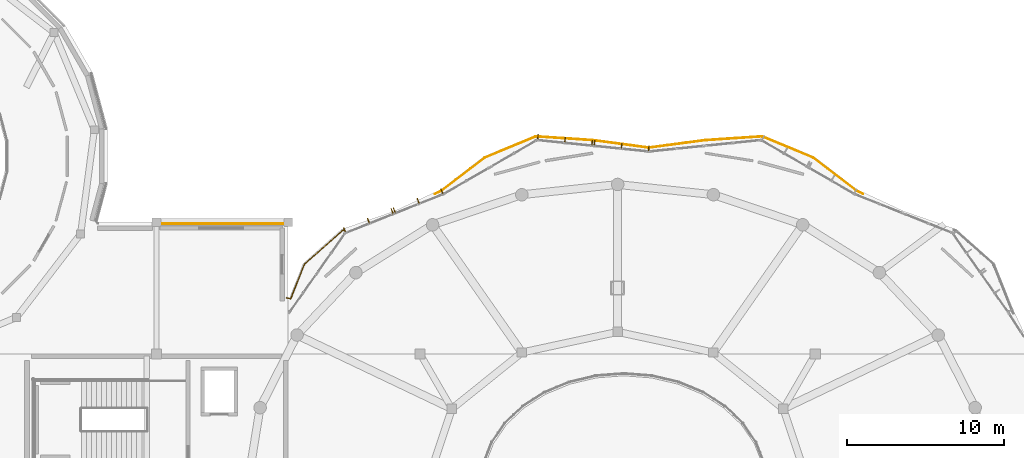
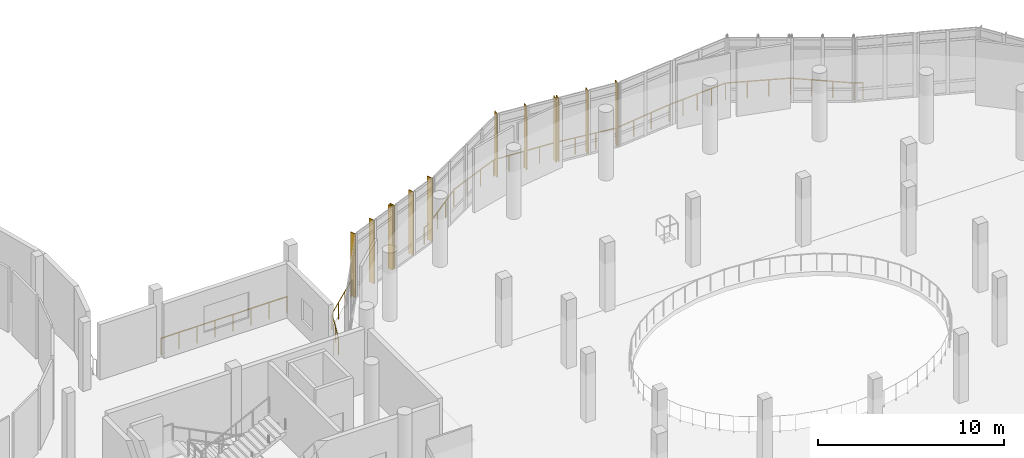
# One storey, part 43 of 46: 12 shading devices, 3 railings.
"""IFC4 building model written with IfcOpenShell, lengths in metres."""

import ifcopenshell
import ifcopenshell.guid

model = None  # the IFC model being written
_history = None  # IfcOwnerHistory: only IFC2X3 demands one
_inside = {}  # id of a spatial element -> (the spatial element, [elements in it])
_under = {}  # id of a project, library or spatial element -> (it, [spatial elements below it])
_declared = {}  # id of a project -> (the project, [libraries it declares])
_typed = {}  # id of a type object -> (the type object, [elements of that type])
_made_of = {}  # id of a material, layer set ... -> (it, [elements and type objects made of it])


def new_model(schema):
    """Start an empty IFC model of exactly this schema.

    Asked for "IFC4X3", IfcOpenShell would pick the latest addendum, in which some entities
    have other attributes; the version numbers below select the first issue.
    IFC2X3 requires an IfcOwnerHistory on every rooted entity: one is made here for all.
    """
    global model, _history
    if schema == "IFC4X3":
        model = ifcopenshell.file(schema_version=(4, 3, 0, 0))
    else:
        model = ifcopenshell.file(schema=schema)
    _inside.clear()
    _under.clear()
    _declared.clear()
    _typed.clear()
    _made_of.clear()
    _history = None
    if model.schema == "IFC2X3":
        org = make("IfcOrganization", Name="unknown")
        user = make(
            "IfcPersonAndOrganization",
            ThePerson=make("IfcPerson", FamilyName="unknown"),
            TheOrganization=org,
        )
        app = make(
            "IfcApplication",
            ApplicationDeveloper=org,
            Version="unknown",
            ApplicationFullName="unknown",
            ApplicationIdentifier="unknown",
        )
        _history = make(
            "IfcOwnerHistory",
            OwningUser=user,
            OwningApplication=app,
            ChangeAction="ADDED",
            CreationDate=0,
        )
    return model


def make(cls, **values):
    """One entity of the class cls with the attributes given. An attribute that is None is left unset."""
    return model.create_entity(
        cls, **{name: value for name, value in values.items() if value is not None}
    )


def rooted(cls, **values):
    """An entity with a GlobalId (a new one), such as an element, a storey or a relation."""
    return make(cls, GlobalId=ifcopenshell.guid.new(), OwnerHistory=_history, **values)


def si_unit(unit_type, name, prefix=None):
    """IfcSIUnit, for example si_unit("LENGTHUNIT", "METRE", prefix="MILLI")."""
    return make("IfcSIUnit", UnitType=unit_type, Prefix=prefix, Name=name)


def derived_unit(unit_type, elements):
    """IfcDerivedUnit: a product of units, each with its exponent."""
    return make(
        "IfcDerivedUnit",
        Elements=[
            make("IfcDerivedUnitElement", Unit=unit, Exponent=power)
            for unit, power in elements
        ],
        UnitType=unit_type,
    )


def assignment(units):
    """IfcUnitAssignment: the units of a project."""
    return None if units is None else make("IfcUnitAssignment", Units=units)


def point(xyz):
    """IfcCartesianPoint."""
    return None if xyz is None else make("IfcCartesianPoint", Coordinates=xyz)


def direction(xyz):
    """IfcDirection."""
    return None if xyz is None else make("IfcDirection", DirectionRatios=xyz)


def frame(location, z_axis=None, x_axis=None):
    """IfcAxis2Placement3D, a coordinate frame: its origin and axes. An axis left out is left unset."""
    return make(
        "IfcAxis2Placement3D",
        Location=point(location),
        Axis=direction(z_axis),
        RefDirection=direction(x_axis),
    )


def frame_2d(location, x_axis=None):
    """IfcAxis2Placement2D, a coordinate frame in the plane: its origin and x axis."""
    return make(
        "IfcAxis2Placement2D", Location=point(location), RefDirection=direction(x_axis)
    )


def origin():
    """The frame at (0, 0, 0) with its axes left unset."""
    return frame((0.0, 0.0, 0.0))


def origin_2d():
    """The frame at (0, 0) in the plane with its x axis left unset."""
    return frame_2d((0.0, 0.0))


def place(relative_to, where):
    """IfcLocalPlacement: puts the frame where relative to a parent placement (None: the world)."""
    return make(
        "IfcLocalPlacement", PlacementRelTo=relative_to, RelativePlacement=where
    )


def context(
    kind, dimensions, precision=None, world=None, true_north=None, identifier=None
):
    """IfcGeometricRepresentationContext, for example the 3D "Model" context."""
    return make(
        "IfcGeometricRepresentationContext",
        ContextIdentifier=identifier,
        ContextType=kind,
        CoordinateSpaceDimension=dimensions,
        Precision=precision,
        WorldCoordinateSystem=world,
        TrueNorth=true_north,
    )


def subcontext(parent, identifier, kind, view, scale=None):
    """IfcGeometricRepresentationSubContext, for example "Body" below "Model"."""
    return make(
        "IfcGeometricRepresentationSubContext",
        ContextIdentifier=identifier,
        ContextType=kind,
        ParentContext=parent,
        TargetScale=scale,
        TargetView=view,
    )


def project(units=None, contexts=None):
    """IfcProject with its units and contexts."""
    return rooted(
        "IfcProject",
        Name="project",
        RepresentationContexts=contexts,
        UnitsInContext=assignment(units),
    )


def spatial(cls, under=None, at=None, **own):
    """A site, building, storey or space (cls), placed at a placement, below another one or the project."""
    s = rooted(cls, ObjectPlacement=at, **own)
    if under is not None:
        _under.setdefault(under.id(), (under, []))[1].append(s)
    return s


def profile(cls, at=None, kind="AREA", **sizes):
    """A parametric profile (cls). Its sizes go by their IFC names, for example OverallWidth=200.0."""
    return make(cls, ProfileType=kind, Position=at, **sizes)


def rectangle(**sizes):
    """IfcRectangleProfileDef."""
    return profile("IfcRectangleProfileDef", **sizes)


def circle(**sizes):
    """IfcCircleProfileDef."""
    return profile("IfcCircleProfileDef", **sizes)


def extrude(swept, where, along, depth):
    """IfcExtrudedAreaSolid: the profile swept, set in the frame where, extruded along a direction by depth."""
    return make(
        "IfcExtrudedAreaSolid",
        SweptArea=swept,
        Position=where,
        ExtrudedDirection=direction(along),
        Depth=depth,
    )


def shape(context_of_items, identifier, shape_type, items):
    """IfcShapeRepresentation: the items that make up one representation, for example the "Body"."""
    return make(
        "IfcShapeRepresentation",
        ContextOfItems=context_of_items,
        RepresentationIdentifier=identifier,
        RepresentationType=shape_type,
        Items=items,
    )


def material(Name=None, Category=None):
    """IfcMaterial."""
    return make("IfcMaterial", Name=Name, Category=Category)


def made_of(thing, what):
    """Note that an element or type object is made of a material, layer set ...; save() writes the relation."""
    if what is not None:
        _made_of.setdefault(what.id(), (what, []))[1].append(thing)
    return thing


def type_object(cls, material=None, **own):
    """A type object (cls), such as IfcWallType, which elements share."""
    return made_of(rooted(cls, **own), material)


def element(
    cls,
    number,
    at=None,
    inside=None,
    cuts=None,
    type_object=None,
    material=None,
    context=None,
    identifier="Body",
    shape_type=None,
    held_by="IfcProductDefinitionShape",
    body=None,
    shapes=None,
    **own,
):
    """One element of the class cls, such as IfcWall. Its Tag is "e" and its number.

    at: its placement. inside: the storey or other place that contains it. cuts: it is an
    opening in that element (IfcRelVoidsElement). A single representation is given by context,
    identifier, shape_type and body (its items); several are given by shapes. held_by: the class
    of the entity that holds the representations. save() writes the other relations.
    """
    e = rooted(cls, Tag="e%d" % number, ObjectPlacement=at, **own)
    if body is not None:
        shapes = [shape(context, identifier, shape_type, body)]
    if shapes is not None:
        e.Representation = make(held_by, Representations=shapes)
    if inside is not None:
        _inside.setdefault(inside.id(), (inside, []))[1].append(e)
    if cuts is not None:
        rooted(
            "IfcRelVoidsElement", RelatingBuildingElement=cuts, RelatedOpeningElement=e
        )
    if type_object is not None:
        _typed.setdefault(type_object.id(), (type_object, []))[1].append(e)
    return made_of(e, material)


def aggregate(whole, parts):
    """IfcRelAggregates: a whole, such as a stair, and the parts it consists of."""
    return rooted("IfcRelAggregates", RelatingObject=whole, RelatedObjects=parts)


def save(model, path):
    """Write the relations noted so far, then the file.

    IfcRelAggregates (storeys below a building ...), IfcRelContainedInSpatialStructure (elements
    in a storey), IfcRelDefinesByType, IfcRelAssociatesMaterial and IfcRelDeclares: one each for
    every whole, place, type object, material and project.
    """
    for whole, parts in _under.values():
        aggregate(whole, parts)
    for where, things in _inside.values():
        rooted(
            "IfcRelContainedInSpatialStructure",
            RelatedElements=things,
            RelatingStructure=where,
        )
    for kind, things in _typed.values():
        rooted("IfcRelDefinesByType", RelatedObjects=things, RelatingType=kind)
    for what, things in _made_of.values():
        rooted("IfcRelAssociatesMaterial", RelatedObjects=things, RelatingMaterial=what)
    for by, libraries in _declared.values():
        rooted("IfcRelDeclares", RelatingContext=by, RelatedDefinitions=libraries)
    model.write(path)


model = new_model("IFC4")

# Units and contexts
model_context = context("Model", 3, precision=1e-05, world=origin(), true_north=direction((0.0, 1.0)))
body_context = subcontext(model_context, "Body", "Model", "MODEL_VIEW")
ifc_project = project(units=[si_unit("LENGTHUNIT", "METRE"), si_unit("AREAUNIT", "SQUARE_METRE"), si_unit("VOLUMEUNIT", "CUBIC_METRE"), si_unit("PLANEANGLEUNIT", "RADIAN"), si_unit("MASSUNIT", "GRAM", prefix="KILO"), derived_unit("THERMALTRANSMITTANCEUNIT", [(si_unit("POWERUNIT", "WATT"), 1), (si_unit("LENGTHUNIT", "METRE"), -2), (si_unit("THERMODYNAMICTEMPERATUREUNIT", "KELVIN"), -1)])], contexts=[model_context])

# Site, building, storey
site_placement = place(None, origin())
site = spatial("IfcSite", under=ifc_project, at=site_placement, CompositionType="ELEMENT")
building_placement = place(site_placement, origin())
building = spatial("IfcBuilding", under=site, at=building_placement, Name="Elbkamm Science Centre", CompositionType="ELEMENT")
storey_placement = place(building_placement, frame((0.0, 0.0, 9.89990234375)))
storey = spatial("IfcBuildingStorey", under=building, at=storey_placement, Name="L02", CompositionType="ELEMENT", Elevation=9.89990234375)

# Railings
ifc_material_1 = material(Name="Stainless steel EN 1.4401", Category="steel")
railing_type = type_object("IfcRailingType", Name="RAIL-EXT-GUARD-1100", PredefinedType="GUARDRAIL", material=ifc_material_1)
railing_1_placement = place(storey_placement, frame((33.8798828125, 83.89990234375, 0.0)))
element("IfcRailing", 1, at=railing_1_placement, inside=storey, type_object=railing_type, Name="L02 Slab Edge Perimeter Guard 052", PredefinedType="GUARDRAIL", context=body_context, shape_type="SweptSolid", body=[
    extrude(circle(Radius=0.02392578125, at=origin_2d()), frame((0.0, 0.0, 1.078125), z_axis=(1.0, 0.0, 0.0), x_axis=(0.0, 1.0, 0.0)), (0.0, 0.0, 1.0), 7.840087890625),
    extrude(circle(Radius=0.02001953125, at=origin_2d()), origin(), (0.0, 0.0, 1.0), 1.048095703125),
    extrude(circle(Radius=0.02001953125, at=origin_2d()), frame((1.1201171875, 0.0, 0.0)), (0.0, 0.0, 1.0), 1.048095703125),
    extrude(circle(Radius=0.02001953125, at=origin_2d()), frame((2.239990234375, 0.0, 0.0)), (0.0, 0.0, 1.0), 1.048095703125),
    extrude(circle(Radius=0.02001953125, at=origin_2d()), frame((3.360107421875, 0.0, 0.0)), (0.0, 0.0, 1.0), 1.048095703125),
    extrude(circle(Radius=0.02001953125, at=origin_2d()), frame((4.47998046875, 0.0, 0.0)), (0.0, 0.0, 1.0), 1.048095703125),
    extrude(circle(Radius=0.02001953125, at=origin_2d()), frame((5.60009765625, 0.0, 0.0)), (0.0, 0.0, 1.0), 1.048095703125),
    extrude(circle(Radius=0.02001953125, at=origin_2d()), frame((6.719970703125, 0.0, 0.0)), (0.0, 0.0, 1.0), 1.048095703125),
    extrude(circle(Radius=0.02001953125, at=origin_2d()), frame((7.840087890625, 0.0, 0.0)), (0.0, 0.0, 1.0), 1.048095703125),
])
railing_2_placement = place(storey_placement, frame((41.89990234375, 79.17236328125, 0.0)))
element("IfcRailing", 2, at=railing_2_placement, inside=storey, type_object=railing_type, Name="L02 Slab Edge Perimeter Guard 053", PredefinedType="GUARDRAIL", context=body_context, shape_type="SweptSolid", body=[
    extrude(circle(Radius=0.02392578125, at=origin_2d()), frame((0.0, 0.0, 1.078125), z_axis=(0.969324821859, -0.245783216939, 0.0), x_axis=(0.245783216939, 0.969324821859, 0.0)), (0.0, 0.0, 1.0), 0.235107421875),
    extrude(circle(Radius=0.02392578125, at=origin_2d()), frame((0.26806640625, -0.037353515625, 1.078125), z_axis=(0.36853477324, 0.929613963381, 0.0), x_axis=(-0.929613963381, 0.36853477324, 0.0)), (0.0, 0.0, 1.0), 2.2998046875),
    extrude(circle(Radius=0.02392578125, at=origin_2d()), frame((1.149169921875, 2.1484375, 1.078125), z_axis=(0.746825047383, 0.665020562541, 0.0), x_axis=(-0.665020562541, 0.746825047383, 0.0)), (0.0, 0.0, 1.0), 3.169189453125),
    extrude(circle(Radius=0.02392578125, at=origin_2d()), frame((3.566650390625, 4.28564453125, 1.078125), z_axis=(0.945132544424, 0.326687118616, 0.0), x_axis=(-0.326687118616, 0.945132544424, 0.0)), (0.0, 0.0, 1.0), 0.0888671875),
    extrude(circle(Radius=0.02001953125, at=origin_2d()), origin(), (0.0, 0.0, 1.0), 1.048095703125),
    extrude(circle(Radius=0.02001953125, at=origin_2d()), frame((0.257080078125, -0.065185546875, 0.0)), (0.0, 0.0, 1.0), 1.048095703125),
    extrude(circle(Radius=0.02001953125, at=origin_2d()), frame((0.69189453125, 1.03173828125, 0.0)), (0.0, 0.0, 1.0), 1.048095703125),
    extrude(circle(Radius=0.02001953125, at=origin_2d()), frame((1.126708984375, 2.12841796875, 0.0)), (0.0, 0.0, 1.0), 1.048095703125),
    extrude(circle(Radius=0.02001953125, at=origin_2d()), frame((1.9306640625, 2.84423828125, 0.0)), (0.0, 0.0, 1.0), 1.048095703125),
    extrude(circle(Radius=0.02001953125, at=origin_2d()), frame((2.734375, 3.56005859375, 0.0)), (0.0, 0.0, 1.0), 1.048095703125),
    extrude(circle(Radius=0.02001953125, at=origin_2d()), frame((3.538330078125, 4.27587890625, 0.0)), (0.0, 0.0, 1.0), 1.048095703125),
    extrude(circle(Radius=0.02001953125, at=origin_2d()), frame((3.650634765625, 4.314697265625, 0.0)), (0.0, 0.0, 1.0), 1.048095703125),
])
railing_3_placement = place(storey_placement, frame((51.3486328125, 85.795654296875, 0.0)))
element("IfcRailing", 3, at=railing_3_placement, inside=storey, type_object=railing_type, Name="L02 Slab Edge Perimeter Guard 054", PredefinedType="GUARDRAIL", context=body_context, shape_type="SweptSolid", body=[
    extrude(circle(Radius=0.02392578125, at=origin_2d()), frame((0.0, 0.0, 1.078125), z_axis=(0.903939780101, 0.427659764241, 0.0), x_axis=(-0.427659764241, 0.903939780101, 0.0)), (0.0, 0.0, 1.0), 0.462158203125),
    extrude(circle(Radius=0.02392578125, at=origin_2d()), frame((0.468505859375, 0.228759765625, 1.078125), z_axis=(0.793275941533, 0.60886228376, 0.0), x_axis=(-0.60886228376, 0.793275941533, 0.0)), (0.0, 0.0, 1.0), 3.39013671875),
    extrude(circle(Radius=0.02392578125, at=origin_2d()), frame((3.209228515625, 2.322509765625, 1.078125), z_axis=(0.923614791443, 0.383321949578, 0.0), x_axis=(-0.383321949578, 0.923614791443, 0.0)), (0.0, 0.0, 1.0), 3.4658203125),
    extrude(circle(Radius=0.02392578125, at=origin_2d()), frame((6.46826171875, 3.66064453125, 1.078125), z_axis=(0.997785157857, -0.066519010524, 0.0), x_axis=(0.066519010524, 0.997785157857, 0.0)), (0.0, 0.0, 1.0), 3.614013671875),
    extrude(circle(Radius=0.02392578125, at=origin_2d()), frame((10.1337890625, 3.414306640625, 1.078125), z_axis=(0.991170443818, -0.13259393388, 0.0), x_axis=(0.13259393388, 0.991170443818, 0.0)), (0.0, 0.0, 1.0), 3.50830078125),
    extrude(circle(Radius=0.02392578125, at=origin_2d()), frame((13.670654296875, 2.948974609375, 1.078125), z_axis=(0.991272992288, 0.131825091543, 0.0), x_axis=(-0.131825091543, 0.991272992288, 0.0)), (0.0, 0.0, 1.0), 3.529296875),
    extrude(circle(Radius=0.02392578125, at=origin_2d()), frame((17.228759765625, 3.420166015625, 1.078125), z_axis=(0.997785157857, 0.066519010524, 0.0), x_axis=(-0.066519010524, 0.997785157857, 0.0)), (0.0, 0.0, 1.0), 3.614013671875),
    extrude(circle(Radius=0.02392578125, at=origin_2d()), frame((20.89208984375, 3.651123046875, 1.078125), z_axis=(0.923614791443, -0.383321949578, 0.0), x_axis=(0.383321949578, 0.923614791443, 0.0)), (0.0, 0.0, 1.0), 3.4658203125),
    extrude(circle(Radius=0.02392578125, at=origin_2d()), frame((24.144775390625, 2.292724609375, 1.078125), z_axis=(0.793275941533, -0.60886228376, 0.0), x_axis=(0.60886228376, 0.793275941533, 0.0)), (0.0, 0.0, 1.0), 3.39013671875),
    extrude(circle(Radius=0.02392578125, at=origin_2d()), frame((26.885009765625, 0.197509765625, 1.078125), z_axis=(0.903939780101, -0.427659764241, 0.0), x_axis=(0.427659764241, 0.903939780101, 0.0)), (0.0, 0.0, 1.0), 0.462158203125),
    extrude(circle(Radius=0.02001953125, at=origin_2d()), origin(), (0.0, 0.0, 1.0), 1.048095703125),
    extrude(circle(Radius=0.02001953125, at=origin_2d()), frame((0.44482421875, 0.21044921875, 0.0)), (0.0, 0.0, 1.0), 1.048095703125),
    extrude(circle(Radius=0.02001953125, at=origin_2d()), frame((1.357177734375, 0.91064453125, 0.0)), (0.0, 0.0, 1.0), 1.048095703125),
    extrude(circle(Radius=0.02001953125, at=origin_2d()), frame((2.269287109375, 1.61083984375, 0.0)), (0.0, 0.0, 1.0), 1.048095703125),
    extrude(circle(Radius=0.02001953125, at=origin_2d()), frame((3.181640625, 2.31103515625, 0.0)), (0.0, 0.0, 1.0), 1.048095703125),
    extrude(circle(Radius=0.02001953125, at=origin_2d()), frame((4.26708984375, 2.761474609375, 0.0)), (0.0, 0.0, 1.0), 1.048095703125),
    extrude(circle(Radius=0.02001953125, at=origin_2d()), frame((5.352783203125, 3.212158203125, 0.0)), (0.0, 0.0, 1.0), 1.048095703125),
    extrude(circle(Radius=0.02001953125, at=origin_2d()), frame((6.438232421875, 3.66259765625, 0.0)), (0.0, 0.0, 1.0), 1.048095703125),
    extrude(circle(Radius=0.02001953125, at=origin_2d()), frame((7.354736328125, 3.6015625, 0.0)), (0.0, 0.0, 1.0), 1.048095703125),
    extrude(circle(Radius=0.02001953125, at=origin_2d()), frame((8.27099609375, 3.54052734375, 0.0)), (0.0, 0.0, 1.0), 1.048095703125),
    extrude(circle(Radius=0.02001953125, at=origin_2d()), frame((9.1875, 3.479248046875, 0.0)), (0.0, 0.0, 1.0), 1.048095703125),
    extrude(circle(Radius=0.02001953125, at=origin_2d()), frame((10.10400390625, 3.418212890625, 0.0)), (0.0, 0.0, 1.0), 1.048095703125),
    extrude(circle(Radius=0.02001953125, at=origin_2d()), frame((11.282958984375, 3.260498046875, 0.0)), (0.0, 0.0, 1.0), 1.048095703125),
    extrude(circle(Radius=0.02001953125, at=origin_2d()), frame((12.4619140625, 3.102783203125, 0.0)), (0.0, 0.0, 1.0), 1.048095703125),
    extrude(circle(Radius=0.02001953125, at=origin_2d()), frame((13.640869140625, 2.945068359375, 0.0)), (0.0, 0.0, 1.0), 1.048095703125),
    extrude(circle(Radius=0.02001953125, at=origin_2d()), frame((14.826904296875, 3.102783203125, 0.0)), (0.0, 0.0, 1.0), 1.048095703125),
    extrude(circle(Radius=0.02001953125, at=origin_2d()), frame((16.0126953125, 3.260498046875, 0.0)), (0.0, 0.0, 1.0), 1.048095703125),
    extrude(circle(Radius=0.02001953125, at=origin_2d()), frame((17.19873046875, 3.418212890625, 0.0)), (0.0, 0.0, 1.0), 1.048095703125),
    extrude(circle(Radius=0.02001953125, at=origin_2d()), frame((18.115234375, 3.479248046875, 0.0)), (0.0, 0.0, 1.0), 1.048095703125),
    extrude(circle(Radius=0.02001953125, at=origin_2d()), frame((19.03173828125, 3.54052734375, 0.0)), (0.0, 0.0, 1.0), 1.048095703125),
    extrude(circle(Radius=0.02001953125, at=origin_2d()), frame((19.947998046875, 3.6015625, 0.0)), (0.0, 0.0, 1.0), 1.048095703125),
    extrude(circle(Radius=0.02001953125, at=origin_2d()), frame((20.864501953125, 3.66259765625, 0.0)), (0.0, 0.0, 1.0), 1.048095703125),
    extrude(circle(Radius=0.02001953125, at=origin_2d()), frame((21.949951171875, 3.212158203125, 0.0)), (0.0, 0.0, 1.0), 1.048095703125),
    extrude(circle(Radius=0.02001953125, at=origin_2d()), frame((23.03564453125, 2.761474609375, 0.0)), (0.0, 0.0, 1.0), 1.048095703125),
    extrude(circle(Radius=0.02001953125, at=origin_2d()), frame((24.12109375, 2.31103515625, 0.0)), (0.0, 0.0, 1.0), 1.048095703125),
    extrude(circle(Radius=0.02001953125, at=origin_2d()), frame((25.033447265625, 1.61083984375, 0.0)), (0.0, 0.0, 1.0), 1.048095703125),
    extrude(circle(Radius=0.02001953125, at=origin_2d()), frame((25.945556640625, 0.91064453125, 0.0)), (0.0, 0.0, 1.0), 1.048095703125),
    extrude(circle(Radius=0.02001953125, at=origin_2d()), frame((26.85791015625, 0.21044921875, 0.0)), (0.0, 0.0, 1.0), 1.048095703125),
    extrude(circle(Radius=0.02001953125, at=origin_2d()), frame((27.302734375, 0.0, 0.0)), (0.0, 0.0, 1.0), 1.048095703125),
])

# Shading devices
ifc_material_2 = material(Name="Terracotta-ochre powder-coated aluminium EN AW-6060", Category="masonry")
shading_device_type = type_object("IfcShadingDeviceType", Name="SHD-LOUVRE-420", PredefinedType="USERDEFINED", material=ifc_material_2)
for number, where, z_axis, x_axis, name in (
    (4, (64.985107421875, 88.6875, 0.000244140625), (0.0, 0.0, 1.0), (0.101905357138, 0.994794098387, 0.0), "L02 Brise-Soleil Sunshade Fin 0048"),
    (5, (63.2548828125, 88.86474609375, 0.000244140625), (0.0, 0.0, 1.0), (0.101905357138, 0.994794098387, 0.0), "L02 Brise-Soleil Sunshade Fin 0049"),
    (6, (61.52490234375, 89.0419921875, 0.000244140625), (0.0, 0.0, 1.0), (0.101905357138, 0.994794098387, 0.0), "L02 Brise-Soleil Sunshade Fin 0050"),
    (7, (61.375732421875, 89.057373046875, 0.000244140625), (0.0, 0.0, 1.0), (0.101905357138, 0.994794098387, 0.0), "L02 Brise-Soleil Sunshade Fin 0051"),
    (8, (59.6455078125, 89.234619140625, 0.000244140625), (0.0, 0.0, 1.0), (0.101905357138, 0.994794098387, 0.0), "L02 Brise-Soleil Sunshade Fin 0052"),
    (9, (57.915283203125, 89.411865234375, 0.000244140625), (0.0, 0.0, 1.0), (0.101905357138, 0.994794098387, 0.0), "L02 Brise-Soleil Sunshade Fin 0053"),
    (10, (51.799560546875, 85.94775390625, 0.000244140625), (0.0, 0.0, 1.0), (-0.369159649018, 0.929365995471, 0.0), "L02 Brise-Soleil Sunshade Fin 0054"),
    (11, (50.283203125, 85.345458984375, 0.000244140625), (0.0, 0.0, 1.0), (-0.369159649018, 0.929365995471, 0.0), "L02 Brise-Soleil Sunshade Fin 0055"),
    (12, (48.766845703125, 84.742919921875, 0.000244140625), (0.0, 0.0, 1.0), (-0.369159649018, 0.929365995471, 0.0), "L02 Brise-Soleil Sunshade Fin 0056"),
    (13, (48.62744140625, 84.687744140625, 0.000244140625), (0.0, 0.0, 1.0), (-0.369159649018, 0.929365995471, 0.0), "L02 Brise-Soleil Sunshade Fin 0057"),
    (14, (47.111083984375, 84.08544921875, 0.000244140625), (0.0, 0.0, 1.0), (-0.369159649018, 0.929365995471, 0.0), "L02 Brise-Soleil Sunshade Fin 0058"),
    (15, (45.5947265625, 83.48291015625, 0.000244140625), (0.0, 0.0, 1.0), (-0.369159649018, 0.929365995471, 0.0), "L02 Brise-Soleil Sunshade Fin 0059"),
):
    element("IfcShadingDevice", number, at=place(storey_placement, frame(where, z_axis=z_axis, x_axis=x_axis)), inside=storey, type_object=shading_device_type, Name=name, ObjectType="LOUVRE", PredefinedType="USERDEFINED", context=body_context, shape_type="SweptSolid", body=[
        extrude(rectangle(XDim=0.35009765625, YDim=0.050048828125, at=origin_2d()), origin(), (0.0, 0.0, 1.0), 4.169921875),
    ])

save(model, "model.ifc")
